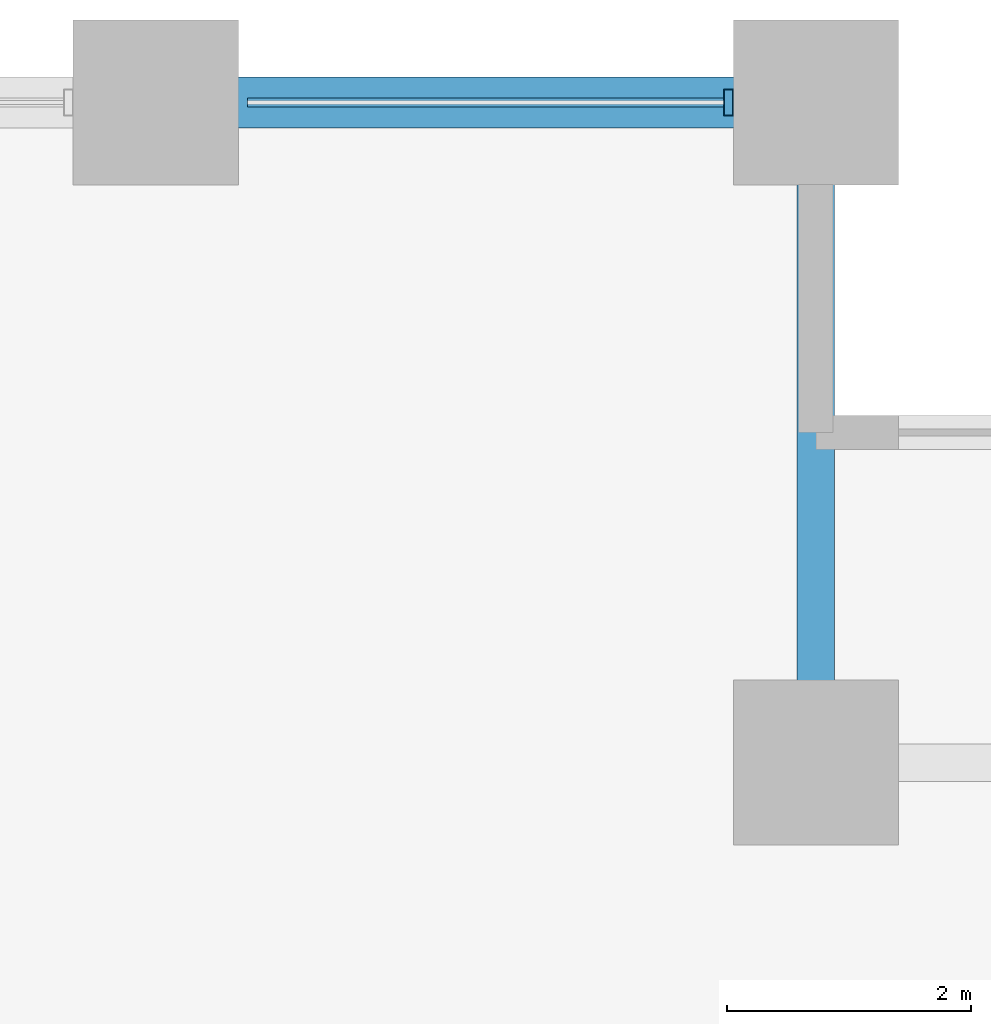
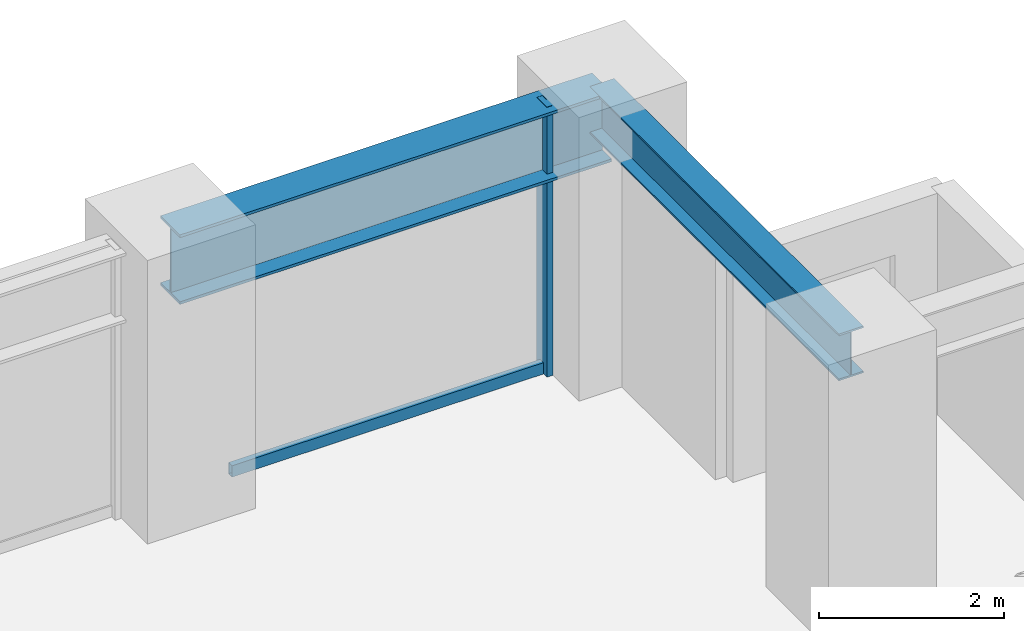
# One storey, part 16 of 24: 2 beams, 2 members, 1 element without a shape of its own.
"""IFC4 building model written with IfcOpenShell, lengths in metres."""

from ifc_helpers import new_model, si_unit, direction, frame, origin, origin_2d, place, context, subcontext, project, spatial, hollow_rectangle, i_section, extrude, material, layer, layer_set, material_profile, profile_set, type_object, element, aggregate, save


model = new_model("IFC4")

# Units and contexts
model_context = context("Model", 3, precision=1e-05, world=origin(), true_north=direction((0.0, 1.0)))
body_context = subcontext(model_context, "Body", "Model", "MODEL_VIEW")
ifc_project = project(units=[si_unit("LENGTHUNIT", "METRE"), si_unit("AREAUNIT", "SQUARE_METRE"), si_unit("VOLUMEUNIT", "CUBIC_METRE"), si_unit("PLANEANGLEUNIT", "RADIAN"), si_unit("MASSUNIT", "GRAM", prefix="KILO")], contexts=[model_context])

# Site, building, storey
site_placement = place(None, origin())
site = spatial("IfcSite", under=ifc_project, at=site_placement, CompositionType="ELEMENT")
building_placement = place(site_placement, origin())
building = spatial("IfcBuilding", under=site, at=building_placement, Name="Surkhivell Harbour Commons", CompositionType="ELEMENT")
storey_placement = place(building_placement, frame((0.0, 0.0, 30.0)))
storey = spatial("IfcBuildingStorey", under=building, at=storey_placement, Name="L07", CompositionType="ELEMENT", Elevation=30.0)

# Beams
ifc_material_1 = material(Name="Steel S355", Category="steel")
ifc_material_profile_1 = material_profile(ifc_material_1, i_section(OverallWidth=0.306884765625, OverallDepth=0.6201171875, WebThickness=0.01416015625, FlangeThickness=0.023681640625, at=origin_2d()), Name="UB610x305x179")
ifc_profile_set_1 = profile_set([ifc_material_profile_1], Name="Steel S355")
beam_type_1 = type_object("IfcBeamType", Name="BM-GRD-610A", PredefinedType="BEAM", material=ifc_profile_set_1)
beam_1_placement = place(storey_placement, frame((27.0, 20.5, 3.260009765625), z_axis=(0.0, 1.0, 0.0), x_axis=(-1.0, 0.0, 0.0)))
element("IfcBeam", 1, at=beam_1_placement, inside=storey, type_object=beam_type_1, Name="L07 Floor Girder (27.0,20.5)", PredefinedType="BEAM", context=body_context, shape_type="SweptSolid", body=[
    extrude(i_section(OverallWidth=0.306884765625, OverallDepth=0.6201171875, WebThickness=0.01416015625, FlangeThickness=0.023681640625, at=origin_2d()), origin(), (0.0, 0.0, 1.0), 5.39990234375),
])
ifc_material_2 = material(Name="Steel S460", Category="steel")
ifc_material_profile_2 = material_profile(ifc_material_2, i_section(OverallWidth=0.419921875, OverallDepth=0.9208984375, WebThickness=0.021484375, FlangeThickness=0.03662109375, at=origin_2d()), Name="UB914x419x388")
ifc_profile_set_2 = profile_set([ifc_material_profile_2], Name="Steel S460")
beam_type_2 = type_object("IfcBeamType", Name="BM-SPN-914A", PredefinedType="SPANDREL", material=ifc_profile_set_2)
beam_2_placement = place(storey_placement, frame((21.60009765625, 25.89990234375, 3.109619140625), z_axis=(1.0, 0.0, 0.0), x_axis=(0.0, 1.0, 0.0)))
element("IfcBeam", 2, at=beam_2_placement, inside=storey, type_object=beam_type_2, Name="L07 Tube Spandrel (21.6,25.9)", PredefinedType="SPANDREL", context=body_context, shape_type="SweptSolid", body=[
    extrude(i_section(OverallWidth=0.419921875, OverallDepth=0.9208984375, WebThickness=0.021484375, FlangeThickness=0.03662109375, at=origin_2d()), origin(), (0.0, 0.0, 1.0), 5.39990234375),
])

# Curtain wall, members
ifc_material_3 = material(Name="Anodised pale-metal aluminium and insulated glazing", Category="aluminium")
ifc_layer = layer(ifc_material_3, 0.219970703125)
ifc_layer_set = layer_set([ifc_layer], Name="Anodised pale-metal aluminium and insulated glazing")
curtain_wall_type = type_object("IfcCurtainWallType", Name="CW-SYS-Z1", PredefinedType="NOTDEFINED", material=ifc_layer_set)
curtain_wall_placement = place(storey_placement, origin())
curtain_wall = element("IfcCurtainWall", 3, at=curtain_wall_placement, inside=storey, type_object=curtain_wall_type, Name="L07 Curtain Wall CW-L07-E07S1", PredefinedType="NOTDEFINED")
ifc_material_4 = material(Name="Anodised pale-metal aluminium alloy 6063-T6", Category="aluminium")
ifc_material_profile_3 = material_profile(ifc_material_4, hollow_rectangle(XDim=0.074951171875, YDim=0.219970703125, WallThickness=0.00390625, at=origin_2d()), Name="ALU-MULL-75x220")
ifc_profile_set_3 = profile_set([ifc_material_profile_3], Name="Anodised pale-metal aluminium alloy 6063-T6")
member_type_1 = type_object("IfcMemberType", Name="CWM-220", PredefinedType="MULLION", material=ifc_profile_set_3)
member_1_placement = place(storey_placement, frame((26.285400390625, 25.89990234375, 0.0), z_axis=(0.0, 0.0, 1.0), x_axis=(-1.0, 0.0, 0.0)))
member_1 = element("IfcMember", 4, at=member_1_placement, type_object=member_type_1, Name="CW-Z1 mullion 1", PredefinedType="MULLION", context=body_context, shape_type="SweptSolid", body=[
    extrude(hollow_rectangle(XDim=0.074951171875, YDim=0.219970703125, WallThickness=0.00390625, at=origin_2d()), origin(), (0.0, 0.0, 1.0), 3.570068359375),
])
ifc_material_profile_4 = material_profile(ifc_material_4, hollow_rectangle(XDim=0.074951171875, YDim=0.14990234375, WallThickness=0.00341796875, at=origin_2d()), Name="ALU-TRAN-75x150")
ifc_profile_set_4 = profile_set([ifc_material_profile_4], Name="Anodised pale-metal aluminium alloy 6063-T6")
member_type_2 = type_object("IfcMemberType", Name="CWT-150", PredefinedType="USERDEFINED", material=ifc_profile_set_4)
member_2_placement = place(storey_placement, frame((26.248046875, 25.89990234375, 0.074951171875), z_axis=(-1.0, 0.0, 0.0), x_axis=(0.0, -1.0, 0.0)))
member_2 = element("IfcMember", 5, at=member_2_placement, type_object=member_type_2, Name="CW-Z1 transom 1.1", ObjectType="TRANSOM", PredefinedType="USERDEFINED", context=body_context, shape_type="SweptSolid", body=[
    extrude(hollow_rectangle(XDim=0.074951171875, YDim=0.14990234375, WallThickness=0.00341796875, at=origin_2d()), origin(), (0.0, 0.0, 1.0), 3.89599609375),
])
aggregate(curtain_wall, [member_1, member_2])

save(model, "model.ifc")
